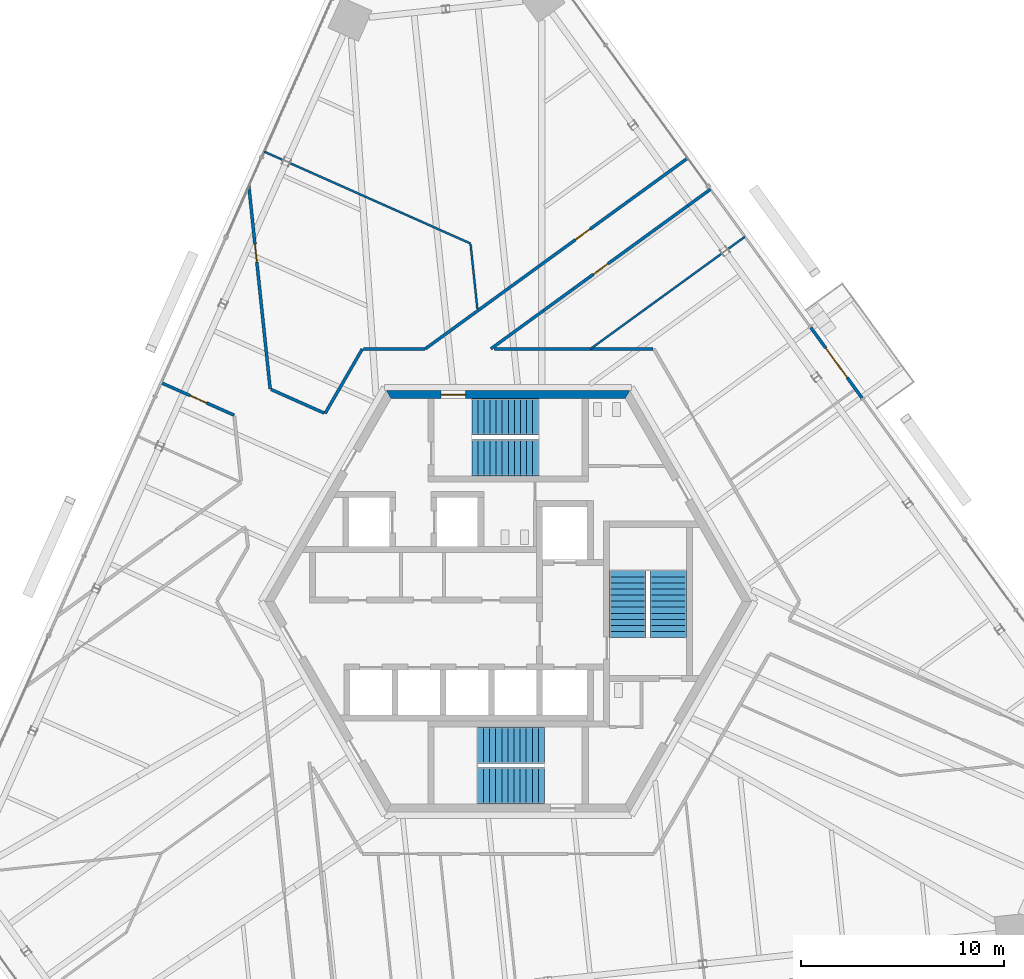
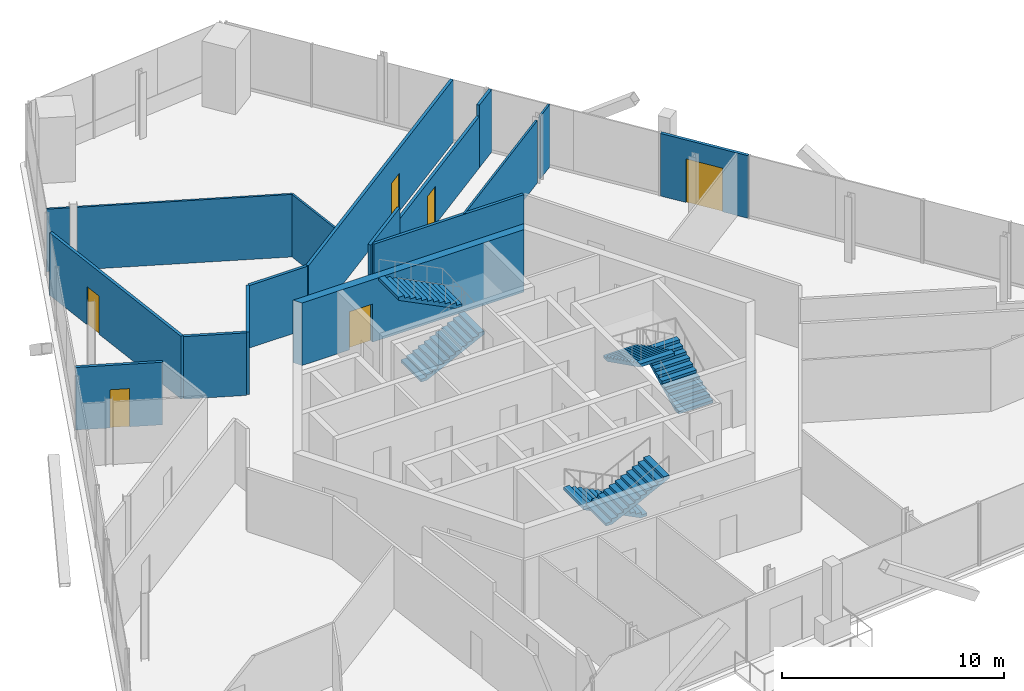
# One storey, part 14 of 18: 17 walls, 6 doors, 6 stair flights, 6 openings, 3 elements without a shape of their own.
"""IFC4 building model written with IfcOpenShell, lengths in metres."""

from ifc_helpers import new_model, si_unit, direction, frame, frame_2d, origin, place, context, subcontext, project, spatial, polyline, rectangle, outline, extrude, source, transform, mapped, material, layer, layer_set, type_object, element, fill, aggregate, save


model = new_model("IFC4")

# Units and contexts
model_context = context("Model", 3, precision=1e-05, world=origin(), true_north=direction((0.0, 1.0)))
body_context = subcontext(model_context, "Body", "Model", "MODEL_VIEW")
ifc_project = project(units=[si_unit("LENGTHUNIT", "METRE"), si_unit("AREAUNIT", "SQUARE_METRE"), si_unit("VOLUMEUNIT", "CUBIC_METRE"), si_unit("PLANEANGLEUNIT", "RADIAN"), si_unit("MASSUNIT", "GRAM", prefix="KILO")], contexts=[model_context])

# Site, building, storey
site_placement = place(None, origin())
site = spatial("IfcSite", under=ifc_project, at=site_placement, CompositionType="ELEMENT")
building_placement = place(site_placement, origin())
building = spatial("IfcBuilding", under=site, at=building_placement, Name="Triune Harvest Tower", CompositionType="ELEMENT")
storey_placement = place(building_placement, frame((0.0, 0.0, 230.5)))
storey = spatial("IfcBuildingStorey", under=building, at=storey_placement, Name="L60", CompositionType="ELEMENT", Elevation=230.5)

# Wall
ifc_material_1 = material(Name="Gypsum board on steel studs", Category="steel")
ifc_layer_1 = layer(ifc_material_1, 0.14990234375)
ifc_layer_set_1 = layer_set([ifc_layer_1], Name="Gypsum board on steel studs")
wall_type_1 = type_object("IfcWallType", Name="Fire Partition 150 mm", PredefinedType="PARTITIONING", material=ifc_layer_set_1)
wall_1_placement = place(storey_placement, frame((-0.666015625, 12.4423828125, 0.0), z_axis=(0.0, 0.0, 1.0), x_axis=(1.0, 0.0, 0.0)))
element("IfcWall", 1, at=wall_1_placement, inside=storey, type_object=wall_type_1, Name="Partition L60 027", PredefinedType="PARTITIONING", context=body_context, shape_type="SweptSolid", body=[
    extrude(rectangle(XDim=7.799560546875, YDim=0.14990234375, at=frame_2d((3.89990234375, 0.0))), origin(), (0.0, 0.0, 1.0), 3.43994140625),
])

# Wall, opening, door
wall_2_placement = place(storey_placement, frame((1.75341796875, 14.338134765625, 0.0), z_axis=(0.0, 0.0, 1.0), x_axis=(0.809011065255, 0.587793412939, 0.0)))
wall_2 = element("IfcWall", 2, at=wall_2_placement, inside=storey, type_object=wall_type_1, Name="Partition L60 037a", PredefinedType="PARTITIONING", context=body_context, shape_type="SweptSolid", body=[
    extrude(rectangle(XDim=8.789306640625, YDim=0.14990234375, at=frame_2d((4.39453125, 0.0))), origin(), (0.0, 0.0, 1.0), 2.827880859375),
])
opening_1_placement = place(wall_2_placement, frame((3.024658203125, 0.0, 0.0)))
opening_1 = element("IfcOpeningElement", 3, at=opening_1_placement, cuts=wall_2, Name="Opening L60-005", PredefinedType="OPENING", context=body_context, shape_type="SweptSolid", body=[
    extrude(rectangle(XDim=0.89990234375, YDim=2.10009765625, at=frame_2d((0.449951171875, 1.050048828125))), frame((0.0, 0.0849609375, 0.0), z_axis=(0.0, -1.0, 0.0), x_axis=(1.0, 0.0, 0.0)), (0.0, 0.0, 1.0), 0.169921875),
])
ifc_material_2 = material(Name="Timber and steel door set", Category="steel")
door_type_1 = type_object("IfcDoorType", Name="Single leaf door FD30 left hand 900 x 2100", OperationType="SINGLE_SWING_LEFT", PredefinedType="DOOR", material=ifc_material_2)
door_1_placement = place(opening_1_placement, origin())
door_1 = element("IfcDoor", 4, at=door_1_placement, inside=storey, type_object=door_type_1, Name="Door L60-005 Office 60.05", OperationType="SINGLE_SWING_LEFT", OverallHeight=2.10009765625, OverallWidth=0.89990234375, PredefinedType="DOOR", context=body_context, shape_type="SweptSolid", body=[
    extrude(rectangle(XDim=0.89990234375, YDim=2.10009765625, at=frame_2d((0.449951171875, 1.050048828125))), frame((0.0, 0.02490234375, 0.0), z_axis=(0.0, -1.0, 0.0), x_axis=(1.0, 0.0, 0.0)), (0.0, 0.0, 1.0), 0.050048828125),
])
fill(opening_1, door_1)

ifc_material_3 = material(Name="Concrete 70 MPa", Category="concrete")
ifc_layer_2 = layer(ifc_material_3, 0.39990234375)
ifc_layer_set_2 = layer_set([ifc_layer_2], Name="Concrete 70 MPa")
wall_type_2 = type_object("IfcWallType", Name="Core wall 400", PredefinedType="SHEAR", material=ifc_layer_set_2)
shared_shape_1 = source(origin(), body_context, "Body", "SweptSolid", [
    extrude(outline(polyline([(-0.115478515625, -0.199951171875), (11.884521484375, -0.199951171875), (11.653564453125, 0.199951171875), (0.115478515625, 0.199951171875), (-0.115478515625, -0.199951171875)])), origin(), (0.0, 0.0, 1.0), 3.43994140625),
])
wall_3_placement = place(storey_placement, frame((5.884521484375, 10.1923828125, 0.0), z_axis=(0.0, 0.0, 1.0), x_axis=(-1.0, 0.0, 0.0)))
wall_3 = element("IfcWall", 5, at=wall_3_placement, inside=storey, type_object=wall_type_2, Name="Hexagon 1 wall", PredefinedType="SHEAR", context=body_context, shape_type="MappedRepresentation", body=[
    mapped(shared_shape_1, transform((0.0, 0.0, 0.0), scale=1.0)),
])
opening_2_placement = place(wall_3_placement, frame((7.984619140625, 0.0, 0.0)))
opening_2 = element("IfcOpeningElement", 6, at=opening_2_placement, cuts=wall_3, Name="Opening CD-S1P", PredefinedType="OPENING", context=body_context, shape_type="SweptSolid", body=[
    extrude(rectangle(XDim=1.199951171875, YDim=2.10009765625, at=frame_2d((0.60009765625, 1.050048828125))), frame((0.0, 0.2099609375, 0.0), z_axis=(0.0, -1.0, 0.0), x_axis=(1.0, 0.0, 0.0)), (0.0, 0.0, 1.0), 0.419921875),
])
ifc_material_4 = material(Name="Steel S235", Category="steel")
door_type_2 = type_object("IfcDoorType", Name="Stair door 1200 FD120", OperationType="SINGLE_SWING_LEFT", PredefinedType="DOOR", material=ifc_material_4)
door_2_placement = place(opening_2_placement, frame((1.199951171875, 0.0, 0.0), z_axis=(0.0, 0.0, 1.0), x_axis=(-1.0, 0.0, 0.0)))
door_2 = element("IfcDoor", 7, at=door_2_placement, inside=storey, type_object=door_type_2, Name="Door CD-S1P", OperationType="SINGLE_SWING_RIGHT", OverallHeight=2.10009765625, OverallWidth=1.199951171875, PredefinedType="DOOR", context=body_context, shape_type="SweptSolid", body=[
    extrude(rectangle(XDim=1.199951171875, YDim=2.10009765625, at=frame_2d((0.60009765625, 1.050048828125))), frame((0.0, 0.02490234375, 0.0), z_axis=(0.0, -1.0, 0.0), x_axis=(1.0, 0.0, 0.0)), (0.0, 0.0, 1.0), 0.050048828125),
])
fill(opening_2, door_2)

ifc_material_5 = material(Name="Aluminium bronze anodised", Category="aluminium")
ifc_layer_3 = layer(ifc_material_5, 0.14990234375)
ifc_layer_set_3 = layer_set([ifc_layer_3], Name="Aluminium bronze anodised")
wall_type_3 = type_object("IfcWallType", Name="WW-2 balcony window wall", PredefinedType="ELEMENTEDWALL", material=ifc_layer_set_3)
shared_shape_2 = source(origin(), body_context, "Body", "SweptSolid", [
    extrude(rectangle(XDim=4.31640625, YDim=0.14990234375, at=frame_2d((2.158203125, 0.0))), origin(), (0.0, 0.0, 1.0), 3.43994140625),
])
wall_4_placement = place(storey_placement, frame((14.91455078125, 13.503662109375, 0.0), z_axis=(0.0, 0.0, 1.0), x_axis=(0.587794959831, -0.809009941346, 0.0)))
wall_4 = element("IfcWall", 8, at=wall_4_placement, inside=storey, type_object=wall_type_3, Name="WW-2 B6-F1 L60.6", PredefinedType="ELEMENTEDWALL", context=body_context, shape_type="MappedRepresentation", body=[
    mapped(shared_shape_2, transform((0.0, 0.0, 0.0), scale=1.0)),
])
opening_3_placement = place(wall_4_placement, frame((1.25830078125, 0.0, 0.0)))
opening_3 = element("IfcOpeningElement", 9, at=opening_3_placement, cuts=wall_4, Name="Opening L60-E01", PredefinedType="OPENING", context=body_context, shape_type="SweptSolid", body=[
    extrude(rectangle(XDim=1.800048828125, YDim=2.39990234375, at=frame_2d((0.89990234375, 1.199951171875))), frame((0.0, 0.0849609375, 0.0), z_axis=(0.0, -1.0, 0.0), x_axis=(1.0, 0.0, 0.0)), (0.0, 0.0, 1.0), 0.169921875),
])
ifc_material_6 = material(Name="Glass", Category="glass")
door_type_3 = type_object("IfcDoorType", Name="DB-1 balcony door 1800 x 2400", OperationType="DOUBLE_DOOR_SINGLE_SWING", PredefinedType="DOOR", material=ifc_material_6)
door_3_placement = place(opening_3_placement, origin())
door_3 = element("IfcDoor", 10, at=door_3_placement, inside=storey, type_object=door_type_3, Name="Door L60-E01", OperationType="DOUBLE_DOOR_SINGLE_SWING", OverallHeight=2.39990234375, OverallWidth=1.800048828125, PredefinedType="DOOR", context=body_context, shape_type="SweptSolid", body=[
    extrude(rectangle(XDim=1.800048828125, YDim=2.39990234375, at=frame_2d((0.89990234375, 1.199951171875))), frame((0.0, 0.02490234375, 0.0), z_axis=(0.0, -1.0, 0.0), x_axis=(1.0, 0.0, 0.0)), (0.0, 0.0, 1.0), 0.050048828125),
])
fill(opening_3, door_3)

# Walls
ifc_material_7 = material(Name="Gypsum board on steel studs", Category="steel")
ifc_layer_4 = layer(ifc_material_7, 0.10009765625)
ifc_layer_set_4 = layer_set([ifc_layer_4], Name="Gypsum board on steel studs")
wall_type_4 = type_object("IfcWallType", Name="Partition 100 mm", PredefinedType="PARTITIONING", material=ifc_layer_set_4)
shared_shape_3 = source(origin(), body_context, "Body", "SweptSolid", [
    extrude(rectangle(XDim=1.0478515625, YDim=0.10009765625, at=frame_2d((0.52392578125, 0.0))), origin(), (0.0, 0.0, 1.0), 3.43994140625),
])
for number, where, z_axis, x_axis, name in (
    (11, (-12.027099609375, 22.167236328125, 0.0), (0.0, 0.0, 1.0), (0.91352309314, -0.406786870855, 0.0), "Partition L60 023"),
    (12, (10.821533203125, 17.354736328125, 0.0), (0.0, 0.0, 1.0), (0.808967759712, 0.587853012025, 0.0), "Partition L60 035"),
):
    element("IfcWall", number, at=place(storey_placement, frame(where, z_axis=z_axis, x_axis=x_axis)), inside=storey, type_object=wall_type_4, Name=name, PredefinedType="PARTITIONING", context=body_context, shape_type="MappedRepresentation", body=[
        mapped(shared_shape_3, transform((0.0, 0.0, 0.0), scale=1.0)),
    ])

# Wall, opening, door
shared_shape_4 = source(origin(), body_context, "Body", "SweptSolid", [
    extrude(rectangle(XDim=10.067626953125, YDim=0.14990234375, at=frame_2d((5.03369140625, 0.0))), origin(), (0.0, 0.0, 1.0), 3.43994140625),
])
wall_5_placement = place(storey_placement, frame((-12.779541015625, 20.476806640625, 0.0), z_axis=(0.0, 0.0, 1.0), x_axis=(0.104518154608, -0.994522978798, 0.0)))
wall_5 = element("IfcWall", 13, at=wall_5_placement, inside=storey, type_object=wall_type_1, Name="Partition L60 004", PredefinedType="PARTITIONING", context=body_context, shape_type="MappedRepresentation", body=[
    mapped(shared_shape_4, transform((0.0, 0.0, 0.0), scale=1.0)),
])
opening_4_placement = place(wall_5_placement, frame((2.877685546875, 0.0, 0.0)))
opening_4 = element("IfcOpeningElement", 14, at=opening_4_placement, cuts=wall_5, Name="Opening L60-006", PredefinedType="OPENING", context=body_context, shape_type="SweptSolid", body=[
    extrude(rectangle(XDim=0.89990234375, YDim=2.10009765625, at=frame_2d((0.449951171875, 1.050048828125))), frame((0.0, 0.0849609375, 0.0), z_axis=(0.0, -1.0, 0.0), x_axis=(1.0, 0.0, 0.0)), (0.0, 0.0, 1.0), 0.169921875),
])
door_4_placement = place(opening_4_placement, origin())
door_4 = element("IfcDoor", 15, at=door_4_placement, inside=storey, type_object=door_type_1, Name="Door L60-006 Pantry 60.06", OperationType="SINGLE_SWING_LEFT", OverallHeight=2.10009765625, OverallWidth=0.89990234375, PredefinedType="DOOR", context=body_context, shape_type="SweptSolid", body=[
    extrude(rectangle(XDim=0.89990234375, YDim=2.10009765625, at=frame_2d((0.449951171875, 1.050048828125))), frame((0.0, 0.02490234375, 0.0), z_axis=(0.0, -1.0, 0.0), x_axis=(1.0, 0.0, 0.0)), (0.0, 0.0, 1.0), 0.050048828125),
])
fill(opening_4, door_4)

# Wall
shared_shape_5 = source(origin(), body_context, "Body", "SweptSolid", [
    extrude(rectangle(XDim=3.226806640625, YDim=0.10009765625, at=frame_2d((1.61328125, 0.0))), origin(), (0.0, 0.0, 1.0), 3.43994140625),
])
wall_6_placement = place(storey_placement, frame((-1.851806640625, 17.617919921875, 0.0), z_axis=(0.0, 0.0, 1.0), x_axis=(0.104558756827, -0.99451871092, 0.0)))
element("IfcWall", 16, at=wall_6_placement, inside=storey, type_object=wall_type_4, Name="Partition L60 010", PredefinedType="PARTITIONING", context=body_context, shape_type="MappedRepresentation", body=[
    mapped(shared_shape_5, transform((0.0, 0.0, 0.0), scale=1.0)),
])

# Wall, opening, door
shared_shape_6 = source(origin(), body_context, "Body", "SweptSolid", [
    extrude(rectangle(XDim=3.93701171875, YDim=0.14990234375, at=frame_2d((1.968505859375, 0.0))), origin(), (0.0, 0.0, 1.0), 3.43994140625),
])
wall_7_placement = place(storey_placement, frame((-17.098876953125, 10.77587890625, 0.0), z_axis=(0.0, 0.0, 1.0), x_axis=(0.913571009461, -0.406679247899, 0.0)))
wall_7 = element("IfcWall", 17, at=wall_7_placement, inside=storey, type_object=wall_type_1, Name="Partition L60 019", PredefinedType="PARTITIONING", context=body_context, shape_type="MappedRepresentation", body=[
    mapped(shared_shape_6, transform((0.0, 0.0, 0.0), scale=1.0)),
])
opening_5_placement = place(wall_7_placement, frame((1.550048828125, 0.0, 0.0)))
opening_5 = element("IfcOpeningElement", 18, at=opening_5_placement, cuts=wall_7, Name="Opening L60-007", PredefinedType="OPENING", context=body_context, shape_type="SweptSolid", body=[
    extrude(rectangle(XDim=0.89990234375, YDim=2.10009765625, at=frame_2d((0.449951171875, 1.050048828125))), frame((0.0, 0.0849609375, 0.0), z_axis=(0.0, -1.0, 0.0), x_axis=(1.0, 0.0, 0.0)), (0.0, 0.0, 1.0), 0.169921875),
])
door_5_placement = place(opening_5_placement, origin())
door_5 = element("IfcDoor", 19, at=door_5_placement, inside=storey, type_object=door_type_1, Name="Door L60-007 Meeting Room 60.07", OperationType="SINGLE_SWING_LEFT", OverallHeight=2.10009765625, OverallWidth=0.89990234375, PredefinedType="DOOR", context=body_context, shape_type="SweptSolid", body=[
    extrude(rectangle(XDim=0.89990234375, YDim=2.10009765625, at=frame_2d((0.449951171875, 1.050048828125))), frame((0.0, 0.02490234375, 0.0), z_axis=(0.0, -1.0, 0.0), x_axis=(1.0, 0.0, 0.0)), (0.0, 0.0, 1.0), 0.050048828125),
])
fill(opening_5, door_5)

# Walls
shared_shape_7 = source(origin(), body_context, "Body", "SweptSolid", [
    extrude(rectangle(XDim=2.8623046875, YDim=0.14990234375, at=frame_2d((1.43115234375, 0.0))), origin(), (0.0, 0.0, 1.0), 3.43994140625),
])
wall_8_placement = place(storey_placement, frame((-11.681640625, 10.444091796875, 0.0), z_axis=(0.0, 0.0, 1.0), x_axis=(0.913526415595, -0.406779409521, 0.0)))
element("IfcWall", 20, at=wall_8_placement, inside=storey, type_object=wall_type_1, Name="Partition L60 021", PredefinedType="PARTITIONING", context=body_context, shape_type="MappedRepresentation", body=[
    mapped(shared_shape_7, transform((0.0, 0.0, 0.0), scale=1.0)),
])
shared_shape_8 = source(origin(), body_context, "Body", "SweptSolid", [
    extrude(rectangle(XDim=9.752685546875, YDim=0.10009765625, at=frame_2d((4.87646484375, 0.0))), origin(), (0.0, 0.0, 1.0), 3.43994140625),
])
wall_9_placement = place(storey_placement, frame((-10.76318359375, 21.6044921875, 0.0), z_axis=(0.0, 0.0, 1.0), x_axis=(0.913542950004, -0.406742275277, 0.0)))
element("IfcWall", 21, at=wall_9_placement, inside=storey, type_object=wall_type_4, Name="Partition L60 024", PredefinedType="PARTITIONING", context=body_context, shape_type="MappedRepresentation", body=[
    mapped(shared_shape_8, transform((0.0, 0.0, 0.0), scale=1.0)),
])
shared_shape_9 = source(origin(), body_context, "Body", "SweptSolid", [
    extrude(rectangle(XDim=3.025146484375, YDim=0.14990234375, at=frame_2d((1.5126953125, 0.0))), origin(), (0.0, 0.0, 1.0), 3.43994140625),
])
wall_10_placement = place(storey_placement, frame((-7.133544921875, 12.4423828125, 0.0), z_axis=(0.0, 0.0, 1.0), x_axis=(1.0, 0.0, 0.0)))
element("IfcWall", 22, at=wall_10_placement, inside=storey, type_object=wall_type_1, Name="Partition L60 026", PredefinedType="PARTITIONING", context=body_context, shape_type="MappedRepresentation", body=[
    mapped(shared_shape_9, transform((0.0, 0.0, 0.0), scale=1.0)),
])
shared_shape_10 = source(origin(), body_context, "Body", "SweptSolid", [
    extrude(rectangle(XDim=8.021728515625, YDim=0.10009765625, at=frame_2d((4.0107421875, 0.0))), origin(), (0.0, 0.0, 1.0), 3.43994140625),
])
wall_11_placement = place(storey_placement, frame((4.060302734375, 12.4423828125, 0.0), z_axis=(0.0, 0.0, 1.0), x_axis=(0.809016321102, 0.587786178972, 0.0)))
element("IfcWall", 23, at=wall_11_placement, inside=storey, type_object=wall_type_4, Name="Partition L60 034", PredefinedType="PARTITIONING", context=body_context, shape_type="MappedRepresentation", body=[
    mapped(shared_shape_10, transform((0.0, 0.0, 0.0), scale=1.0)),
])
shared_shape_11 = source(origin(), body_context, "Body", "SweptSolid", [
    extrude(rectangle(XDim=3.225341796875, YDim=0.14990234375, at=frame_2d((1.61279296875, 0.0))), origin(), (0.0, 0.0, 1.0), 3.43994140625),
])
wall_12_placement = place(storey_placement, frame((-0.85595703125, 12.4423828125, 0.0), z_axis=(0.0, 0.0, 1.0), x_axis=(0.809027308254, 0.587771056193, 0.0)))
element("IfcWall", 24, at=wall_12_placement, inside=storey, type_object=wall_type_1, Name="Partition L60 037", PredefinedType="PARTITIONING", context=body_context, shape_type="MappedRepresentation", body=[
    mapped(shared_shape_11, transform((0.0, 0.0, 0.0), scale=1.0)),
])
shared_shape_12 = source(origin(), body_context, "Body", "SweptSolid", [
    extrude(rectangle(XDim=1.367919921875, YDim=0.14990234375, at=frame_2d((0.68408203125, 0.0))), origin(), (0.0, 0.0, 1.0), 3.43994140625),
])
wall_13_placement = place(storey_placement, frame((8.864013671875, 19.50439453125, 0.0), z_axis=(0.0, 0.0, 1.0), x_axis=(0.809052408479, 0.587736505872, 0.0)))
element("IfcWall", 25, at=wall_13_placement, inside=storey, type_object=wall_type_1, Name="Partition L60 037b", PredefinedType="PARTITIONING", context=body_context, shape_type="MappedRepresentation", body=[
    mapped(shared_shape_12, transform((0.0, 0.0, 0.0), scale=1.0)),
])

# Wall, opening, door
shared_shape_13 = source(origin(), body_context, "Body", "SweptSolid", [
    extrude(rectangle(XDim=15.997314453125, YDim=0.14990234375, at=frame_2d((7.99853515625, 0.0))), origin(), (0.0, 0.0, 1.0), 3.43994140625),
])
wall_14_placement = place(storey_placement, frame((-4.08837890625, 12.4423828125, 0.0), z_axis=(0.0, 0.0, 1.0), x_axis=(0.809015150703, 0.58778778988, 0.0)))
wall_14 = element("IfcWall", 26, at=wall_14_placement, inside=storey, type_object=wall_type_1, Name="Partition L60 040", PredefinedType="PARTITIONING", context=body_context, shape_type="MappedRepresentation", body=[
    mapped(shared_shape_13, transform((0.0, 0.0, 0.0), scale=1.0)),
])
opening_6_placement = place(wall_14_placement, frame((9.147705078125, 0.0, 0.0)))
opening_6 = element("IfcOpeningElement", 27, at=opening_6_placement, cuts=wall_14, Name="Opening L60-004", PredefinedType="OPENING", context=body_context, shape_type="SweptSolid", body=[
    extrude(rectangle(XDim=0.89990234375, YDim=2.10009765625, at=frame_2d((0.449951171875, 1.050048828125))), frame((0.0, 0.0849609375, 0.0), z_axis=(0.0, -1.0, 0.0), x_axis=(1.0, 0.0, 0.0)), (0.0, 0.0, 1.0), 0.169921875),
])
ifc_material_8 = material(Name="Timber and steel door set", Category="steel")
door_type_4 = type_object("IfcDoorType", Name="Single leaf door FD30 right hand 900 x 2100", OperationType="SINGLE_SWING_RIGHT", PredefinedType="DOOR", material=ifc_material_8)
door_6_placement = place(opening_6_placement, origin())
door_6 = element("IfcDoor", 28, at=door_6_placement, inside=storey, type_object=door_type_4, Name="Door L60-004 Office 60.04", OperationType="SINGLE_SWING_RIGHT", OverallHeight=2.10009765625, OverallWidth=0.89990234375, PredefinedType="DOOR", context=body_context, shape_type="SweptSolid", body=[
    extrude(rectangle(XDim=0.89990234375, YDim=2.10009765625, at=frame_2d((0.449951171875, 1.050048828125))), frame((0.0, 0.02490234375, 0.0), z_axis=(0.0, -1.0, 0.0), x_axis=(1.0, 0.0, 0.0)), (0.0, 0.0, 1.0), 0.050048828125),
])
fill(opening_6, door_6)

# Wall
shared_shape_14 = source(origin(), body_context, "Body", "SweptSolid", [
    extrude(rectangle(XDim=3.675048828125, YDim=0.14990234375, at=frame_2d((1.83740234375, 0.0))), origin(), (0.0, 0.0, 1.0), 3.43994140625),
])
wall_15_placement = place(storey_placement, frame((-9.021484375, 9.259521484375, 0.0), z_axis=(0.0, 0.0, 1.0), x_axis=(0.500032977642, 0.866006363297, 0.0)))
element("IfcWall", 29, at=wall_15_placement, inside=storey, type_object=wall_type_1, Name="Partition L60 044", PredefinedType="PARTITIONING", context=body_context, shape_type="MappedRepresentation", body=[
    mapped(shared_shape_14, transform((0.0, 0.0, 0.0), scale=1.0)),
])

# Stair, stair flights
ifc_material_9 = material(Name="Concrete 40 MPa", Category="concrete")
stair_type = type_object("IfcStairType", Name="Exit stair 1800 half turn", PredefinedType="HALF_TURN_STAIR", material=ifc_material_9)
stair_1_placement = place(storey_placement, origin())
stair_1 = element("IfcStair", 30, at=stair_1_placement, inside=storey, type_object=stair_type, Name="Exit stair north", PredefinedType="HALF_TURN_STAIR")
ifc_material_10 = material(Name="Concrete 40 MPa", Category="concrete")
stair_flight_type = type_object("IfcStairFlightType", Name="Stair flight 1800", PredefinedType="STRAIGHT", material=ifc_material_10)
shared_shape_15 = source(origin(), body_context, "Body", "SweptSolid", [
    extrude(outline(polyline([(0.0, 0.0), (0.0, 0.14990234375), (0.300048828125, 0.14990234375), (0.300048828125, 0.300048828125), (0.60009765625, 0.300048828125), (0.60009765625, 0.449951171875), (0.89990234375, 0.449951171875), (0.89990234375, 0.60009765625), (1.199951171875, 0.60009765625), (1.199951171875, 0.75), (1.5, 0.75), (1.5, 0.89990234375), (1.800048828125, 0.89990234375), (1.800048828125, 1.050048828125), (2.10009765625, 1.050048828125), (2.10009765625, 1.199951171875), (2.39990234375, 1.199951171875), (2.39990234375, 1.35009765625), (2.699951171875, 1.35009765625), (2.699951171875, 1.5), (3.0, 1.5), (3.0, 1.64990234375), (3.300048828125, 1.64990234375), (3.300048828125, 1.800048828125), (3.300048828125, 1.482421875), (0.335205078125, 0.0), (0.0, 0.0)])), frame((0.0, 0.89990234375, 0.0), z_axis=(0.0, -1.0, 0.0), x_axis=(1.0, 0.0, 0.0)), (0.0, 0.0, 1.0), 1.800048828125),
])
stair_flight_1_placement = place(storey_placement, frame((-1.7900390625, 7.090087890625, 0.0), z_axis=(0.0, 0.0, 1.0), x_axis=(1.0, 0.0, 0.0)))
stair_flight_1 = element("IfcStairFlight", 31, at=stair_flight_1_placement, type_object=stair_flight_type, Name="ST-1 flight 1", NumberOfRisers=12, NumberOfTreads=11, PredefinedType="STRAIGHT", RiserHeight=0.15, TreadLength=0.3, context=body_context, shape_type="MappedRepresentation", body=[
    mapped(shared_shape_15, transform((0.0, 0.0, 0.0), scale=1.0)),
])
stair_flight_2_placement = place(storey_placement, frame((1.510009765625, 9.090087890625, 1.800048828125), z_axis=(0.0, 0.0, 1.0), x_axis=(-1.0, 0.0, 0.0)))
stair_flight_2 = element("IfcStairFlight", 32, at=stair_flight_2_placement, type_object=stair_flight_type, Name="ST-1 flight 2", NumberOfRisers=12, NumberOfTreads=11, PredefinedType="STRAIGHT", RiserHeight=0.15, TreadLength=0.3, context=body_context, shape_type="MappedRepresentation", body=[
    mapped(shared_shape_15, transform((0.0, 0.0, 0.0), scale=1.0)),
])
aggregate(stair_1, [stair_flight_1, stair_flight_2])

stair_2_placement = place(storey_placement, origin())
stair_2 = element("IfcStair", 33, at=stair_2_placement, inside=storey, type_object=stair_type, Name="Exit stair south", PredefinedType="HALF_TURN_STAIR")
stair_flight_3_placement = place(storey_placement, frame((1.7900390625, -7.090087890625, 0.0), z_axis=(0.0, 0.0, 1.0), x_axis=(-1.0, 0.0, 0.0)))
stair_flight_3 = element("IfcStairFlight", 34, at=stair_flight_3_placement, type_object=stair_flight_type, Name="ST-2 flight 1", NumberOfRisers=12, NumberOfTreads=11, PredefinedType="STRAIGHT", RiserHeight=0.15, TreadLength=0.3, context=body_context, shape_type="MappedRepresentation", body=[
    mapped(shared_shape_15, transform((0.0, 0.0, 0.0), scale=1.0)),
])
stair_flight_4_placement = place(storey_placement, frame((-1.510009765625, -9.090087890625, 1.800048828125), z_axis=(0.0, 0.0, 1.0), x_axis=(1.0, 0.0, 0.0)))
stair_flight_4 = element("IfcStairFlight", 35, at=stair_flight_4_placement, type_object=stair_flight_type, Name="ST-2 flight 2", NumberOfRisers=12, NumberOfTreads=11, PredefinedType="STRAIGHT", RiserHeight=0.15, TreadLength=0.3, context=body_context, shape_type="MappedRepresentation", body=[
    mapped(shared_shape_15, transform((0.0, 0.0, 0.0), scale=1.0)),
])
aggregate(stair_2, [stair_flight_3, stair_flight_4])

stair_3_placement = place(storey_placement, origin())
stair_3 = element("IfcStair", 36, at=stair_3_placement, inside=storey, type_object=stair_type, Name="Exit stair east", PredefinedType="HALF_TURN_STAIR")
stair_flight_5_placement = place(storey_placement, frame((7.89990234375, -1.7900390625, 0.0), z_axis=(0.0, 0.0, 1.0), x_axis=(0.0, 1.0, 0.0)))
stair_flight_5 = element("IfcStairFlight", 37, at=stair_flight_5_placement, type_object=stair_flight_type, Name="ST-3 flight 1", NumberOfRisers=12, NumberOfTreads=11, PredefinedType="STRAIGHT", RiserHeight=0.15, TreadLength=0.3, context=body_context, shape_type="MappedRepresentation", body=[
    mapped(shared_shape_15, transform((0.0, 0.0, 0.0), scale=1.0)),
])
stair_flight_6_placement = place(storey_placement, frame((5.89990234375, 1.510009765625, 1.800048828125), z_axis=(0.0, 0.0, 1.0), x_axis=(0.0, -1.0, 0.0)))
stair_flight_6 = element("IfcStairFlight", 38, at=stair_flight_6_placement, type_object=stair_flight_type, Name="ST-3 flight 2", NumberOfRisers=12, NumberOfTreads=11, PredefinedType="STRAIGHT", RiserHeight=0.15, TreadLength=0.3, context=body_context, shape_type="MappedRepresentation", body=[
    mapped(shared_shape_15, transform((0.0, 0.0, 0.0), scale=1.0)),
])
aggregate(stair_3, [stair_flight_5, stair_flight_6])

save(model, "model.ifc")
